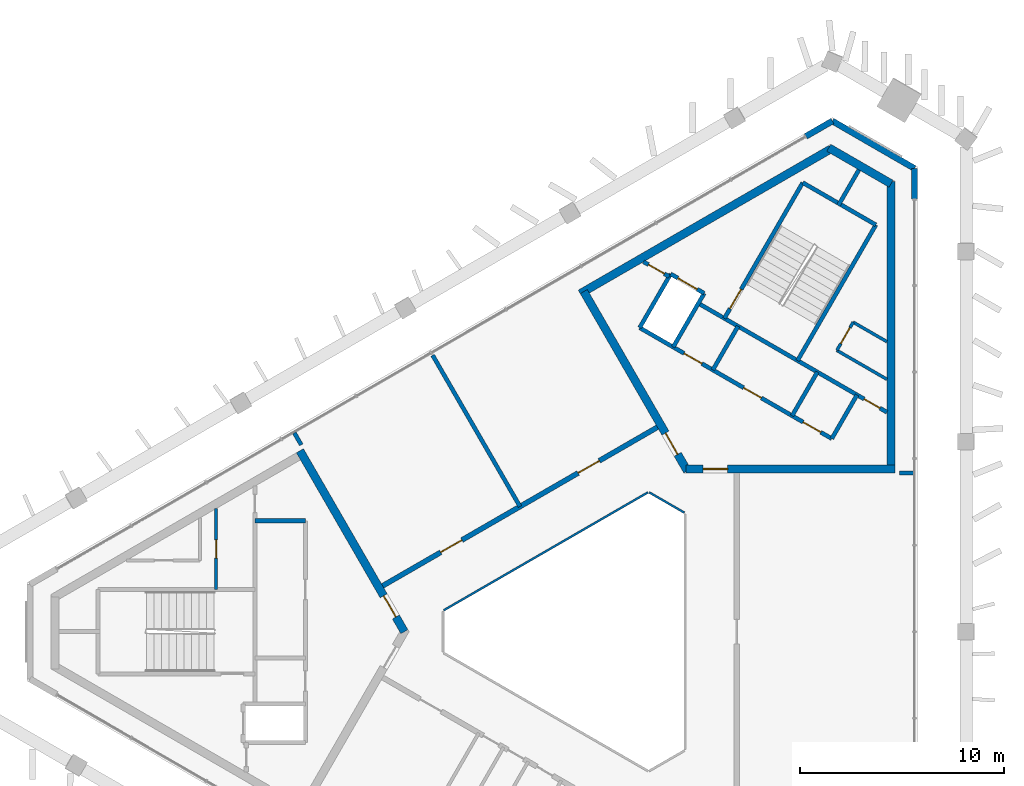
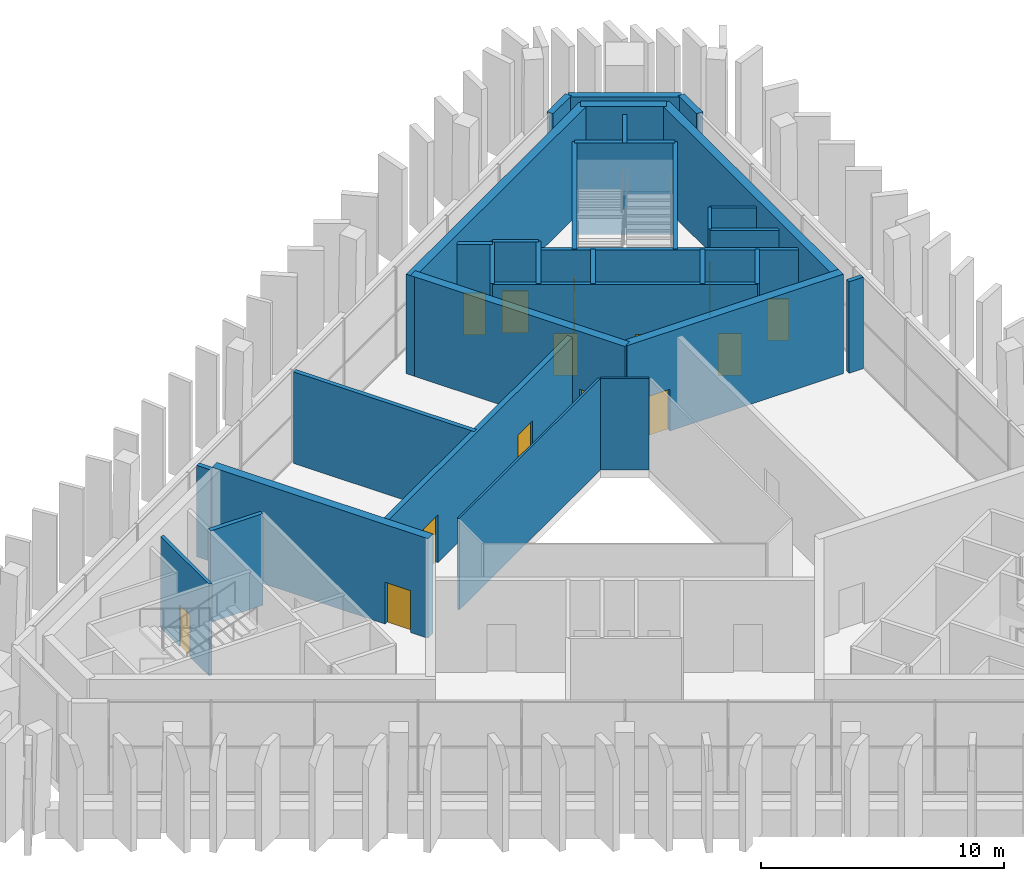
# One storey, part 10 of 13: 33 walls, 14 doors, 14 openings.
"""IFC4 building model written with IfcOpenShell, lengths in metres."""

from ifc_helpers import new_model, si_unit, direction, frame, frame_2d, origin, place, context, subcontext, project, spatial, rectangle, extrude, material, layer, layer_set, type_object, element, fill, save


model = new_model("IFC4")

# Units and contexts
model_context = context("Model", 3, precision=1e-05, world=origin(), true_north=direction((0.0, 1.0)))
body_context = subcontext(model_context, "Body", "Model", "MODEL_VIEW")
ifc_project = project(units=[si_unit("LENGTHUNIT", "METRE"), si_unit("AREAUNIT", "SQUARE_METRE"), si_unit("VOLUMEUNIT", "CUBIC_METRE"), si_unit("PLANEANGLEUNIT", "RADIAN"), si_unit("MASSUNIT", "GRAM", prefix="KILO")], contexts=[model_context])

# Site, building, storey
site_placement = place(None, origin())
site = spatial("IfcSite", under=ifc_project, at=site_placement, CompositionType="ELEMENT")
building_placement = place(site_placement, origin())
building = spatial("IfcBuilding", under=site, at=building_placement, Name="Jabali Bay Hotel Tower and Convention Centre", CompositionType="ELEMENT")
storey_placement = place(building_placement, frame((0.0, 0.0, 310.800048828125)))
storey = spatial("IfcBuildingStorey", under=building, at=storey_placement, Name="L76", CompositionType="ELEMENT", Elevation=310.800048828125)

# Walls
ifc_material_1 = material(Name="Fire-resistant glazing", Category="glass")
ifc_layer_1 = layer(ifc_material_1, 0.10009765625)
ifc_layer_set_1 = layer_set([ifc_layer_1], Name="Fire-resistant glazing")
wall_type_1 = type_object("IfcWallType", Name="Atrium glazed screen 100", PredefinedType="PARTITIONING", material=ifc_layer_set_1)
wall_1_placement = place(storey_placement, frame((79.530029296875, 85.84619140625, 0.0), z_axis=(0.0, 0.0, 1.0), x_axis=(-0.866041268327, 0.499972520799, 0.0)))
element("IfcWall", 1, at=wall_1_placement, inside=storey, type_object=wall_type_1, Name="Atrium screen 2 L76", PredefinedType="PARTITIONING", context=body_context, shape_type="SweptSolid", body=[
    extrude(rectangle(XDim=2.0, YDim=0.10009765625, at=frame_2d((1.0, 0.0))), origin(), (0.0, 0.0, 1.0), 4.599853515625),
])
wall_2_placement = place(storey_placement, frame((77.738037109375, 86.84619140625, 0.0), z_axis=(0.0, 0.0, 1.0), x_axis=(-0.866026658274, -0.499997827154, 0.0)))
element("IfcWall", 2, at=wall_2_placement, inside=storey, type_object=wall_type_1, Name="Atrium screen 3 L76", PredefinedType="PARTITIONING", context=body_context, shape_type="SweptSolid", body=[
    extrude(rectangle(XDim=11.58837890625, YDim=0.10009765625, at=frame_2d((5.794189453125, 0.0))), origin(), (0.0, 0.0, 1.0), 4.599853515625),
])
ifc_material_2 = material(Name="Concrete C40", Category="concrete")
ifc_layer_2 = layer(ifc_material_2, 0.199951171875)
ifc_layer_set_2 = layer_set([ifc_layer_2], Name="Concrete C40")
wall_type_2 = type_object("IfcWallType", Name="Core partition wall 200", PredefinedType="PARTITIONING", material=ifc_layer_set_2)
wall_3_placement = place(storey_placement, frame((87.090087890625, 100.9404296875, 0.0), z_axis=(0.0, 0.0, 1.0), x_axis=(0.499941815747, 0.866058993873, 0.0)))
element("IfcWall", 3, at=wall_3_placement, inside=storey, type_object=wall_type_2, Name="Core wall 1.4 L76", PredefinedType="PARTITIONING", context=body_context, shape_type="SweptSolid", body=[
    extrude(rectangle(XDim=2.023193359375, YDim=0.199951171875, at=frame_2d((1.01171875, 0.0))), origin(), (0.0, 0.0, 1.0), 4.599853515625),
])

# Wall, opening, door
wall_4_placement = place(storey_placement, frame((78.7802734375, 97.447509765625, 0.0), z_axis=(0.0, 0.0, 1.0), x_axis=(-0.866045896294, 0.499964504253, 0.0)))
wall_4 = element("IfcWall", 4, at=wall_4_placement, inside=storey, type_object=wall_type_2, Name="Core wall 1.11 L76", PredefinedType="PARTITIONING", context=body_context, shape_type="SweptSolid", body=[
    extrude(rectangle(XDim=1.455078125, YDim=0.199951171875, at=frame_2d((0.7275390625, 0.0))), origin(), (0.0, 0.0, 1.0), 4.599853515625),
])
opening_1_placement = place(wall_4_placement, frame((0.277587890625, 0.0, 0.0)))
opening_1 = element("IfcOpeningElement", 5, at=opening_1_placement, cuts=wall_4, Name="Opening D1698", PredefinedType="OPENING", context=body_context, shape_type="SweptSolid", body=[
    extrude(rectangle(XDim=0.89990234375, YDim=2.10009765625, at=frame_2d((0.449951171875, 1.050048828125))), frame((0.0, 0.1103515625, 0.0), z_axis=(0.0, -1.0, 0.0), x_axis=(1.0, 0.0, 0.0)), (0.0, 0.0, 1.0), 0.220947265625),
])
ifc_material_3 = material(Name="Fire-rated steel door", Category="steel")
door_type_1 = type_object("IfcDoorType", Name="Vestibule fire door 900 x 2100", OperationType="NOTDEFINED", PredefinedType="NOTDEFINED", material=ifc_material_3)
door_1_placement = place(opening_1_placement, origin())
door_1 = element("IfcDoor", 6, at=door_1_placement, inside=storey, type_object=door_type_1, Name="Vestibule fire door D1698", OperationType="SINGLE_SWING_LEFT", OverallHeight=2.10009765625, OverallWidth=0.89990234375, PredefinedType="NOTDEFINED", context=body_context, shape_type="SweptSolid", body=[
    extrude(rectangle(XDim=0.89990234375, YDim=2.10009765625, at=frame_2d((0.449951171875, 1.050048828125))), frame((0.0, 0.02490234375, 0.0), z_axis=(0.0, -1.0, 0.0), x_axis=(1.0, 0.0, 0.0)), (0.0, 0.0, 1.0), 0.050048828125),
])
fill(opening_1, door_1)

ifc_material_4 = material(Name="Fire-rated board partition")
ifc_layer_3 = layer(ifc_material_4, 0.14990234375)
ifc_layer_set_3 = layer_set([ifc_layer_3], Name="Fire-rated board partition")
wall_type_3 = type_object("IfcWallType", Name="Core room partition 150", PredefinedType="PARTITIONING", material=ifc_layer_set_3)
wall_5_placement = place(storey_placement, frame((56.52001953125, 86.050537109375, 0.0), z_axis=(0.0, 0.0, 1.0), x_axis=(0.0, -1.0, 0.0)))
wall_5 = element("IfcWall", 7, at=wall_5_placement, inside=storey, type_object=wall_type_3, Name="Core wall 0.12 L76", PredefinedType="PARTITIONING", context=body_context, shape_type="SweptSolid", body=[
    extrude(rectangle(XDim=3.9755859375, YDim=0.14990234375, at=frame_2d((1.98779296875, 0.0))), origin(), (0.0, 0.0, 1.0), 4.599853515625),
])
opening_2_placement = place(wall_5_placement, frame((1.537841796875, 0.0, 0.0)))
opening_2 = element("IfcOpeningElement", 8, at=opening_2_placement, cuts=wall_5, Name="Opening D1688", PredefinedType="OPENING", context=body_context, shape_type="SweptSolid", body=[
    extrude(rectangle(XDim=0.89990234375, YDim=2.10009765625, at=frame_2d((0.449951171875, 1.050048828125))), frame((0.0, 0.08544921875, 0.0), z_axis=(0.0, -1.0, 0.0), x_axis=(1.0, 0.0, 0.0)), (0.0, 0.0, 1.0), 0.1708984375),
])
door_type_2 = type_object("IfcDoorType", Name="Core room door 900 x 2100", OperationType="NOTDEFINED", PredefinedType="NOTDEFINED", material=ifc_material_3)
door_2_placement = place(opening_2_placement, origin())
door_2 = element("IfcDoor", 9, at=door_2_placement, inside=storey, type_object=door_type_2, Name="Core room door D1688", OperationType="SINGLE_SWING_RIGHT", OverallHeight=2.10009765625, OverallWidth=0.89990234375, PredefinedType="NOTDEFINED", context=body_context, shape_type="SweptSolid", body=[
    extrude(rectangle(XDim=0.89990234375, YDim=2.10009765625, at=frame_2d((0.449951171875, 1.050048828125))), frame((0.0, 0.02490234375, 0.0), z_axis=(0.0, -1.0, 0.0), x_axis=(1.0, 0.0, 0.0)), (0.0, 0.0, 1.0), 0.050048828125),
])
fill(opening_2, door_2)

wall_6_placement = place(storey_placement, frame((87.02099609375, 93.821044921875, 0.0), z_axis=(0.0, 0.0, 1.0), x_axis=(0.499995408039, 0.866028054938, 0.0)))
wall_6 = element("IfcWall", 10, at=wall_6_placement, inside=storey, type_object=wall_type_3, Name="Core wall 1.1 L76", PredefinedType="PARTITIONING", context=body_context, shape_type="SweptSolid", body=[
    extrude(rectangle(XDim=1.60009765625, YDim=0.14990234375, at=frame_2d((0.800048828125, 0.0))), origin(), (0.0, 0.0, 1.0), 4.599853515625),
])
opening_3_placement = place(wall_6_placement, frame((0.387451171875, 0.0, 0.0)))
opening_3 = element("IfcOpeningElement", 11, at=opening_3_placement, cuts=wall_6, Name="Opening D1701", PredefinedType="OPENING", context=body_context, shape_type="SweptSolid", body=[
    extrude(rectangle(XDim=0.89990234375, YDim=2.10009765625, at=frame_2d((0.449951171875, 1.050048828125))), frame((0.0, 0.08544921875, 0.0), z_axis=(0.0, -1.0, 0.0), x_axis=(1.0, 0.0, 0.0)), (0.0, 0.0, 1.0), 0.1708984375),
])
door_3_placement = place(opening_3_placement, origin())
door_3 = element("IfcDoor", 12, at=door_3_placement, inside=storey, type_object=door_type_2, Name="Core room door D1701", OperationType="SINGLE_SWING_LEFT", OverallHeight=2.10009765625, OverallWidth=0.89990234375, PredefinedType="NOTDEFINED", context=body_context, shape_type="SweptSolid", body=[
    extrude(rectangle(XDim=0.89990234375, YDim=2.10009765625, at=frame_2d((0.449951171875, 1.050048828125))), frame((0.0, 0.02490234375, 0.0), z_axis=(0.0, -1.0, 0.0), x_axis=(1.0, 0.0, 0.0)), (0.0, 0.0, 1.0), 0.050048828125),
])
fill(opening_3, door_3)

# Walls
wall_7_placement = place(storey_placement, frame((89.47998046875, 92.4013671875, 0.0), z_axis=(0.0, 0.0, 1.0), x_axis=(-0.866028081176, 0.499995362593, 0.0)))
element("IfcWall", 13, at=wall_7_placement, inside=storey, type_object=wall_type_3, Name="Core wall 1.13 L76", PredefinedType="PARTITIONING", context=body_context, shape_type="SweptSolid", body=[
    extrude(rectangle(XDim=2.83935546875, YDim=0.14990234375, at=frame_2d((1.419677734375, 0.0))), origin(), (0.0, 0.0, 1.0), 4.599853515625),
])
wall_8_placement = place(storey_placement, frame((89.47998046875, 94.2490234375, 0.0), z_axis=(0.0, 0.0, 1.0), x_axis=(-0.866030650962, 0.499990911512, 0.0)))
element("IfcWall", 14, at=wall_8_placement, inside=storey, type_object=wall_type_3, Name="Core wall 1.14 L76", PredefinedType="PARTITIONING", context=body_context, shape_type="SweptSolid", body=[
    extrude(rectangle(XDim=1.91552734375, YDim=0.14990234375, at=frame_2d((0.957763671875, 0.0))), origin(), (0.0, 0.0, 1.0), 4.599853515625),
])
ifc_layer_4 = layer(ifc_material_2, 0.199951171875)
ifc_layer_set_4 = layer_set([ifc_layer_4], Name="Concrete C40")
wall_type_4 = type_object("IfcWallType", Name="Core stair wall 200", PredefinedType="SOLIDWALL", material=ifc_layer_set_4)
wall_9_placement = place(storey_placement, frame((60.89990234375, 85.449951171875, 0.0), z_axis=(0.0, 0.0, 1.0), x_axis=(-1.0, 0.0, 0.0)))
element("IfcWall", 15, at=wall_9_placement, inside=storey, type_object=wall_type_4, Name="Core wall 0.0 L76", PredefinedType="SOLIDWALL", context=body_context, shape_type="SweptSolid", body=[
    extrude(rectangle(XDim=2.47998046875, YDim=0.199951171875, at=frame_2d((1.239990234375, 0.0))), origin(), (0.0, 0.0, 1.0), 4.599853515625),
])
for number, where, z_axis, x_axis, name in (
    (16, (86.769775390625, 89.48583984375, 0.0), (0.0, 0.0, 1.0), (0.499961042966, 0.86604789447, 0.0), "Core wall 1.0 L76"),
    (17, (84.8212890625, 90.61083984375, 0.0), (0.0, 0.0, 1.0), (0.499961042966, 0.86604789447, 0.0), "Core wall 1.2 L76"),
):
    element("IfcWall", number, at=place(storey_placement, frame(where, z_axis=z_axis, x_axis=x_axis)), inside=storey, type_object=wall_type_4, Name=name, PredefinedType="SOLIDWALL", context=body_context, shape_type="SweptSolid", body=[
        extrude(rectangle(XDim=2.480224609375, YDim=0.199951171875, at=frame_2d((1.240234375, 0.0))), origin(), (0.0, 0.0, 1.0), 4.599853515625),
    ])
wall_10_placement = place(storey_placement, frame((85.0869140625, 93.3212890625, 0.0), z_axis=(0.0, 0.0, 1.0), x_axis=(0.500019787375, 0.866013979237, 0.0)))
element("IfcWall", 18, at=wall_10_placement, inside=storey, type_object=wall_type_4, Name="Core wall 1.3 L76", PredefinedType="SOLIDWALL", context=body_context, shape_type="SweptSolid", body=[
    extrude(rectangle(XDim=7.699951171875, YDim=0.199951171875, at=frame_2d((3.85009765625, 0.0))), origin(), (0.0, 0.0, 1.0), 4.599853515625),
])
wall_11_placement = place(storey_placement, frame((80.924072265625, 92.86083984375, 0.0), z_axis=(0.0, 0.0, 1.0), x_axis=(0.499961042966, 0.86604789447, 0.0)))
element("IfcWall", 19, at=wall_11_placement, inside=storey, type_object=wall_type_4, Name="Core wall 1.5 L76", PredefinedType="SOLIDWALL", context=body_context, shape_type="SweptSolid", body=[
    extrude(rectangle(XDim=2.480224609375, YDim=0.199951171875, at=frame_2d((1.240234375, 0.0))), origin(), (0.0, 0.0, 1.0), 4.599853515625),
])

# Wall, opening, door
wall_12_placement = place(storey_placement, frame((81.492919921875, 95.396240234375, 0.0), z_axis=(0.0, 0.0, 1.0), x_axis=(0.500006057782, 0.866021906294, 0.0)))
wall_12 = element("IfcWall", 20, at=wall_12_placement, inside=storey, type_object=wall_type_4, Name="Core wall 1.6 L76", PredefinedType="SOLIDWALL", context=body_context, shape_type="SweptSolid", body=[
    extrude(rectangle(XDim=7.7001953125, YDim=0.199951171875, at=frame_2d((3.85009765625, 0.0))), origin(), (0.0, 0.0, 1.0), 4.599853515625),
])
opening_4_placement = place(wall_12_placement, frame((0.550048828125, 0.0, 0.0)))
opening_4 = element("IfcOpeningElement", 21, at=opening_4_placement, cuts=wall_12, Name="Opening D1700", PredefinedType="OPENING", context=body_context, shape_type="SweptSolid", body=[
    extrude(rectangle(XDim=1.10009765625, YDim=2.10009765625, at=frame_2d((0.550048828125, 1.050048828125))), frame((0.0, 0.1103515625, 0.0), z_axis=(0.0, -1.0, 0.0), x_axis=(1.0, 0.0, 0.0)), (0.0, 0.0, 1.0), 0.220947265625),
])
door_type_3 = type_object("IfcDoorType", Name="Stair fire door 1100 x 2100", OperationType="NOTDEFINED", PredefinedType="NOTDEFINED", material=ifc_material_3)
door_4_placement = place(opening_4_placement, origin())
door_4 = element("IfcDoor", 22, at=door_4_placement, inside=storey, type_object=door_type_3, Name="Stair fire door D1700", OperationType="SINGLE_SWING_RIGHT", OverallHeight=2.10009765625, OverallWidth=1.10009765625, PredefinedType="NOTDEFINED", context=body_context, shape_type="SweptSolid", body=[
    extrude(rectangle(XDim=1.10009765625, YDim=2.10009765625, at=frame_2d((0.550048828125, 1.050048828125))), frame((0.0, 0.02490234375, 0.0), z_axis=(0.0, -1.0, 0.0), x_axis=(1.0, 0.0, 0.0)), (0.0, 0.0, 1.0), 0.050048828125),
])
fill(opening_4, door_4)

# Walls
for number, where, z_axis, x_axis, name in (
    (23, (78.9755859375, 93.98583984375, 0.0), (0.0, 0.0, 1.0), (0.499944174705, 0.866057632134, 0.0), "Core wall 1.7 L76"),
    (24, (77.330078125, 94.93603515625, 0.0), (0.0, 0.0, 1.0), (0.500038867431, 0.8660029625, 0.0), "Core wall 1.8 L76"),
):
    element("IfcWall", number, at=place(storey_placement, frame(where, z_axis=z_axis, x_axis=x_axis)), inside=storey, type_object=wall_type_4, Name=name, PredefinedType="SOLIDWALL", context=body_context, shape_type="SweptSolid", body=[
        extrude(rectangle(XDim=3.050048828125, YDim=0.199951171875, at=frame_2d((1.52490234375, 0.0))), origin(), (0.0, 0.0, 1.0), 4.599853515625),
    ])

# Wall, openings, doors
wall_13_placement = place(storey_placement, frame((86.769775390625, 89.48583984375, 0.0), z_axis=(0.0, 0.0, 1.0), x_axis=(-0.86601811187, 0.500012629753, 0.0)))
wall_13 = element("IfcWall", 25, at=wall_13_placement, inside=storey, type_object=wall_type_4, Name="Core wall 1.9 L76", PredefinedType="SOLIDWALL", context=body_context, shape_type="SweptSolid", body=[
    extrude(rectangle(XDim=10.900146484375, YDim=0.199951171875, at=frame_2d((5.4501953125, 0.0))), origin(), (0.0, 0.0, 1.0), 4.599853515625),
])
opening_5_placement = place(wall_13_placement, frame((0.625, 0.0, 0.0)))
opening_5 = element("IfcOpeningElement", 26, at=opening_5_placement, cuts=wall_13, Name="Opening D1695", PredefinedType="OPENING", context=body_context, shape_type="SweptSolid", body=[
    extrude(rectangle(XDim=1.0, YDim=2.10009765625, at=frame_2d((0.5, 1.050048828125))), frame((0.0, 0.1103515625, 0.0), z_axis=(0.0, -1.0, 0.0), x_axis=(1.0, 0.0, 0.0)), (0.0, 0.0, 1.0), 0.220947265625),
])
opening_6_placement = place(wall_13_placement, frame((4.0, 0.0, 0.0)))
opening_6 = element("IfcOpeningElement", 27, at=opening_6_placement, cuts=wall_13, Name="Opening D1696", PredefinedType="OPENING", context=body_context, shape_type="SweptSolid", body=[
    extrude(rectangle(XDim=1.0, YDim=2.10009765625, at=frame_2d((0.5, 1.050048828125))), frame((0.0, 0.1103515625, 0.0), z_axis=(0.0, -1.0, 0.0), x_axis=(1.0, 0.0, 0.0)), (0.0, 0.0, 1.0), 0.220947265625),
])
opening_7_placement = place(wall_13_placement, frame((7.375, 0.0, 0.0)))
opening_7 = element("IfcOpeningElement", 28, at=opening_7_placement, cuts=wall_13, Name="Opening D1697", PredefinedType="OPENING", context=body_context, shape_type="SweptSolid", body=[
    extrude(rectangle(XDim=1.0, YDim=2.10009765625, at=frame_2d((0.5, 1.050048828125))), frame((0.0, 0.1103515625, 0.0), z_axis=(0.0, -1.0, 0.0), x_axis=(1.0, 0.0, 0.0)), (0.0, 0.0, 1.0), 0.220947265625),
])
door_type_4 = type_object("IfcDoorType", Name="Core room door 1000 x 2100", OperationType="NOTDEFINED", PredefinedType="NOTDEFINED", material=ifc_material_3)
door_5_placement = place(opening_5_placement, origin())
door_5 = element("IfcDoor", 29, at=door_5_placement, inside=storey, type_object=door_type_4, Name="Core room door D1695", OperationType="SINGLE_SWING_RIGHT", OverallHeight=2.10009765625, OverallWidth=1.0, PredefinedType="NOTDEFINED", context=body_context, shape_type="SweptSolid", body=[
    extrude(rectangle(XDim=1.0, YDim=2.10009765625, at=frame_2d((0.5, 1.050048828125))), frame((0.0, 0.02490234375, 0.0), z_axis=(0.0, -1.0, 0.0), x_axis=(1.0, 0.0, 0.0)), (0.0, 0.0, 1.0), 0.050048828125),
])
fill(opening_5, door_5)
door_6_placement = place(opening_6_placement, origin())
door_6 = element("IfcDoor", 30, at=door_6_placement, inside=storey, type_object=door_type_4, Name="Core room door D1696", OperationType="SINGLE_SWING_RIGHT", OverallHeight=2.10009765625, OverallWidth=1.0, PredefinedType="NOTDEFINED", context=body_context, shape_type="SweptSolid", body=[
    extrude(rectangle(XDim=1.0, YDim=2.10009765625, at=frame_2d((0.5, 1.050048828125))), frame((0.0, 0.02490234375, 0.0), z_axis=(0.0, -1.0, 0.0), x_axis=(1.0, 0.0, 0.0)), (0.0, 0.0, 1.0), 0.050048828125),
])
fill(opening_6, door_6)
door_7_placement = place(opening_7_placement, origin())
door_7 = element("IfcDoor", 31, at=door_7_placement, inside=storey, type_object=door_type_4, Name="Core room door D1697", OperationType="SINGLE_SWING_RIGHT", OverallHeight=2.10009765625, OverallWidth=1.0, PredefinedType="NOTDEFINED", context=body_context, shape_type="SweptSolid", body=[
    extrude(rectangle(XDim=1.0, YDim=2.10009765625, at=frame_2d((0.5, 1.050048828125))), frame((0.0, 0.02490234375, 0.0), z_axis=(0.0, -1.0, 0.0), x_axis=(1.0, 0.0, 0.0)), (0.0, 0.0, 1.0), 0.050048828125),
])
fill(opening_7, door_7)

# Wall, opening, door
wall_14_placement = place(storey_placement, frame((89.47998046875, 90.784912109375, 0.0), z_axis=(0.0, 0.0, 1.0), x_axis=(-0.866022544512, 0.500004952373, 0.0)))
wall_14 = element("IfcWall", 32, at=wall_14_placement, inside=storey, type_object=wall_type_4, Name="Core wall 1.10 L76", PredefinedType="SOLIDWALL", context=body_context, shape_type="SweptSolid", body=[
    extrude(rectangle(XDim=10.69775390625, YDim=0.199951171875, at=frame_2d((5.348876953125, 0.0))), origin(), (0.0, 0.0, 1.0), 4.599853515625),
])
opening_8_placement = place(wall_14_placement, frame((0.398681640625, 0.0, 0.0)))
opening_8 = element("IfcOpeningElement", 33, at=opening_8_placement, cuts=wall_14, Name="Opening D1699", PredefinedType="OPENING", context=body_context, shape_type="SweptSolid", body=[
    extrude(rectangle(XDim=0.89990234375, YDim=2.10009765625, at=frame_2d((0.449951171875, 1.050048828125))), frame((0.0, 0.1103515625, 0.0), z_axis=(0.0, -1.0, 0.0), x_axis=(1.0, 0.0, 0.0)), (0.0, 0.0, 1.0), 0.220947265625),
])
door_8_placement = place(opening_8_placement, origin())
door_8 = element("IfcDoor", 34, at=door_8_placement, inside=storey, type_object=door_type_1, Name="Vestibule fire door D1699", OperationType="SINGLE_SWING_LEFT", OverallHeight=2.10009765625, OverallWidth=0.89990234375, PredefinedType="NOTDEFINED", context=body_context, shape_type="SweptSolid", body=[
    extrude(rectangle(XDim=0.89990234375, YDim=2.10009765625, at=frame_2d((0.449951171875, 1.050048828125))), frame((0.0, 0.02490234375, 0.0), z_axis=(0.0, -1.0, 0.0), x_axis=(1.0, 0.0, 0.0)), (0.0, 0.0, 1.0), 0.050048828125),
])
fill(opening_8, door_8)

wall_15_placement = place(storey_placement, frame((80.50048828125, 96.62744140625, 0.0), z_axis=(0.0, 0.0, 1.0), x_axis=(-0.86601224135, 0.500022797313, 0.0)))
wall_15 = element("IfcWall", 35, at=wall_15_placement, inside=storey, type_object=wall_type_4, Name="Core wall 1.12 L76", PredefinedType="SOLIDWALL", context=body_context, shape_type="SweptSolid", body=[
    extrude(rectangle(XDim=1.89990234375, YDim=0.199951171875, at=frame_2d((0.949951171875, 0.0))), origin(), (0.0, 0.0, 1.0), 4.599853515625),
])
opening_9_placement = place(wall_15_placement, frame((0.39990234375, 0.0, 0.0)))
opening_9 = element("IfcOpeningElement", 36, at=opening_9_placement, cuts=wall_15, Name="Opening LD10-L76", PredefinedType="OPENING", context=body_context, shape_type="SweptSolid", body=[
    extrude(rectangle(XDim=1.10009765625, YDim=2.10009765625, at=frame_2d((0.550048828125, 1.050048828125))), frame((0.0, 0.1103515625, 0.0), z_axis=(0.0, -1.0, 0.0), x_axis=(1.0, 0.0, 0.0)), (0.0, 0.0, 1.0), 0.220947265625),
])
ifc_material_5 = material(Name="Stainless steel landing door", Category="steel")
door_type_5 = type_object("IfcDoorType", Name="Landing door 1100 x 2100", OperationType="NOTDEFINED", PredefinedType="NOTDEFINED", material=ifc_material_5)
door_9_placement = place(opening_9_placement, origin())
door_9 = element("IfcDoor", 37, at=door_9_placement, inside=storey, type_object=door_type_5, Name="Landing doors LD10-L76", OperationType="SLIDING_TO_RIGHT", OverallHeight=2.10009765625, OverallWidth=1.10009765625, PredefinedType="NOTDEFINED", context=body_context, shape_type="SweptSolid", body=[
    extrude(rectangle(XDim=1.10009765625, YDim=2.10009765625, at=frame_2d((0.550048828125, 1.050048828125))), frame((0.0, 0.02490234375, 0.0), z_axis=(0.0, -1.0, 0.0), x_axis=(1.0, 0.0, 0.0)), (0.0, 0.0, 1.0), 0.050048828125),
])
fill(opening_9, door_9)

# Wall
wall_16_placement = place(storey_placement, frame((88.93701171875, 99.989501953125, 0.0), z_axis=(0.0, 0.0, 1.0), x_axis=(-0.866004344652, 0.500036473714, 0.0)))
element("IfcWall", 38, at=wall_16_placement, inside=storey, type_object=wall_type_4, Name="Core wall 1.15 L76", PredefinedType="SOLIDWALL", context=body_context, shape_type="SweptSolid", body=[
    extrude(rectangle(XDim=4.150146484375, YDim=0.199951171875, at=frame_2d((2.0751953125, 0.0))), origin(), (0.0, 0.0, 1.0), 4.599853515625),
])

# Wall, opening, door
ifc_material_6 = material(Name="Concrete C60", Category="concrete")
ifc_layer_5 = layer(ifc_material_6, 0.39990234375)
ifc_layer_set_5 = layer_set([ifc_layer_5], Name="Concrete C60")
wall_type_5 = type_object("IfcWallType", Name="Core wall 400", PredefinedType="SHEAR", material=ifc_layer_set_5)
wall_17_placement = place(storey_placement, frame((65.76904296875, 80.0, 0.0), z_axis=(0.0, 0.0, 1.0), x_axis=(-0.50000177223, 0.866024380585, 0.0)))
wall_17 = element("IfcWall", 39, at=wall_17_placement, inside=storey, type_object=wall_type_5, Name="Core wall 1.1 L76", PredefinedType="SHEAR", context=body_context, shape_type="SweptSolid", body=[
    extrude(rectangle(XDim=10.2646484375, YDim=0.39990234375, at=frame_2d((5.13232421875, 0.0))), origin(), (0.0, 0.0, 1.0), 5.0),
])
opening_10_placement = place(wall_17_placement, frame((0.83447265625, 0.0, 0.0)))
opening_10 = element("IfcOpeningElement", 40, at=opening_10_placement, cuts=wall_17, Name="Opening D1684", PredefinedType="OPENING", context=body_context, shape_type="SweptSolid", body=[
    extrude(rectangle(XDim=1.199951171875, YDim=2.10009765625, at=frame_2d((0.60009765625, 1.050048828125))), frame((0.0, 0.21044921875, 0.0), z_axis=(0.0, -1.0, 0.0), x_axis=(1.0, 0.0, 0.0)), (0.0, 0.0, 1.0), 0.4208984375),
])
door_type_6 = type_object("IfcDoorType", Name="Corridor end fire door 1200 x 2100", OperationType="NOTDEFINED", PredefinedType="NOTDEFINED", material=ifc_material_3)
door_10_placement = place(opening_10_placement, origin())
door_10 = element("IfcDoor", 41, at=door_10_placement, inside=storey, type_object=door_type_6, Name="Corridor end fire door D1684", OperationType="SINGLE_SWING_RIGHT", OverallHeight=2.10009765625, OverallWidth=1.199951171875, PredefinedType="NOTDEFINED", context=body_context, shape_type="SweptSolid", body=[
    extrude(rectangle(XDim=1.199951171875, YDim=2.10009765625, at=frame_2d((0.60009765625, 1.050048828125))), frame((0.0, 0.02490234375, 0.0), z_axis=(0.0, -1.0, 0.0), x_axis=(1.0, 0.0, 0.0)), (0.0, 0.0, 1.0), 0.050048828125),
])
fill(opening_10, door_10)

wall_18_placement = place(storey_placement, frame((79.615478515625, 87.994140625, 0.0), z_axis=(0.0, 0.0, 1.0), x_axis=(1.0, 0.0, 0.0)))
wall_18 = element("IfcWall", 42, at=wall_18_placement, inside=storey, type_object=wall_type_5, Name="Core wall 2.1 L76", PredefinedType="SHEAR", context=body_context, shape_type="SweptSolid", body=[
    extrude(rectangle(XDim=10.264404296875, YDim=0.39990234375, at=frame_2d((5.13232421875, 0.0))), origin(), (0.0, 0.0, 1.0), 5.0),
])
opening_11_placement = place(wall_18_placement, frame((0.83447265625, 0.0, 0.0)))
opening_11 = element("IfcOpeningElement", 43, at=opening_11_placement, cuts=wall_18, Name="Opening D1693", PredefinedType="OPENING", context=body_context, shape_type="SweptSolid", body=[
    extrude(rectangle(XDim=1.199951171875, YDim=2.10009765625, at=frame_2d((0.60009765625, 1.050048828125))), frame((0.0, 0.21044921875, 0.0), z_axis=(0.0, -1.0, 0.0), x_axis=(1.0, 0.0, 0.0)), (0.0, 0.0, 1.0), 0.4208984375),
])
door_11_placement = place(opening_11_placement, origin())
door_11 = element("IfcDoor", 44, at=door_11_placement, inside=storey, type_object=door_type_6, Name="Corridor end fire door D1693", OperationType="SINGLE_SWING_RIGHT", OverallHeight=2.10009765625, OverallWidth=1.199951171875, PredefinedType="NOTDEFINED", context=body_context, shape_type="SweptSolid", body=[
    extrude(rectangle(XDim=1.199951171875, YDim=2.10009765625, at=frame_2d((0.60009765625, 1.050048828125))), frame((0.0, 0.02490234375, 0.0), z_axis=(0.0, -1.0, 0.0), x_axis=(1.0, 0.0, 0.0)), (0.0, 0.0, 1.0), 0.050048828125),
])
fill(opening_11, door_11)

# Walls
wall_19_placement = place(storey_placement, frame((89.679931640625, 87.994140625, 0.0), z_axis=(0.0, 0.0, 1.0), x_axis=(0.0, 1.0, 0.0)))
element("IfcWall", 45, at=wall_19_placement, inside=storey, type_object=wall_type_5, Name="Core wall 2.2 L76", PredefinedType="SHEAR", context=body_context, shape_type="SweptSolid", body=[
    extrude(rectangle(XDim=14.133544921875, YDim=0.39990234375, at=frame_2d((7.06689453125, 0.0))), origin(), (0.0, 0.0, 1.0), 5.0),
])
wall_20_placement = place(storey_placement, frame((89.679931640625, 102.01220703125, 0.0), z_axis=(0.0, 0.0, 1.0), x_axis=(-0.866025485263, 0.499999858875, 0.0)))
element("IfcWall", 46, at=wall_20_placement, inside=storey, type_object=wall_type_5, Name="Core wall 2.3 L76", PredefinedType="SHEAR", context=body_context, shape_type="SweptSolid", body=[
    extrude(rectangle(XDim=3.52978515625, YDim=0.39990234375, at=frame_2d((1.764892578125, 0.0))), origin(), (0.0, 0.0, 1.0), 5.0),
])
wall_21_placement = place(storey_placement, frame((86.72314453125, 103.71923828125, 0.0), z_axis=(0.0, 0.0, 1.0), x_axis=(-0.866030317223, -0.499991489579, 0.0)))
element("IfcWall", 47, at=wall_21_placement, inside=storey, type_object=wall_type_5, Name="Core wall 2.4 L76", PredefinedType="SHEAR", context=body_context, shape_type="SweptSolid", body=[
    extrude(rectangle(XDim=14.218017578125, YDim=0.39990234375, at=frame_2d((7.10888671875, 0.0))), origin(), (0.0, 0.0, 1.0), 5.0),
])

# Wall, opening, door
wall_22_placement = place(storey_placement, frame((74.583251953125, 96.71044921875, 0.0), z_axis=(0.0, 0.0, 1.0), x_axis=(0.499987488796, -0.866032627011, 0.0)))
wall_22 = element("IfcWall", 48, at=wall_22_placement, inside=storey, type_object=wall_type_5, Name="Core wall 2.5 L76", PredefinedType="SHEAR", context=body_context, shape_type="SweptSolid", body=[
    extrude(rectangle(XDim=10.179931640625, YDim=0.39990234375, at=frame_2d((5.08984375, 0.0))), origin(), (0.0, 0.0, 1.0), 5.0),
])
opening_12_placement = place(wall_22_placement, frame((8.030029296875, 0.0, 0.0)))
opening_12 = element("IfcOpeningElement", 49, at=opening_12_placement, cuts=wall_22, Name="Opening D1694", PredefinedType="OPENING", context=body_context, shape_type="SweptSolid", body=[
    extrude(rectangle(XDim=1.199951171875, YDim=2.10009765625, at=frame_2d((0.60009765625, 1.050048828125))), frame((0.0, 0.21044921875, 0.0), z_axis=(0.0, -1.0, 0.0), x_axis=(1.0, 0.0, 0.0)), (0.0, 0.0, 1.0), 0.4208984375),
])
door_12_placement = place(opening_12_placement, origin())
door_12 = element("IfcDoor", 50, at=door_12_placement, inside=storey, type_object=door_type_6, Name="Corridor end fire door D1694", OperationType="SINGLE_SWING_LEFT", OverallHeight=2.10009765625, OverallWidth=1.199951171875, PredefinedType="NOTDEFINED", context=body_context, shape_type="SweptSolid", body=[
    extrude(rectangle(XDim=1.199951171875, YDim=2.10009765625, at=frame_2d((0.60009765625, 1.050048828125))), frame((0.0, 0.02490234375, 0.0), z_axis=(0.0, -1.0, 0.0), x_axis=(1.0, 0.0, 0.0)), (0.0, 0.0, 1.0), 0.050048828125),
])
fill(opening_12, door_12)

# Wall, openings, doors
ifc_layer_6 = layer(ifc_material_6, 0.25)
ifc_layer_set_6 = layer_set([ifc_layer_6], Name="Concrete C60")
wall_type_6 = type_object("IfcWallType", Name="Corridor wall 250", PredefinedType="SHEAR", material=ifc_layer_set_6)
wall_23_placement = place(storey_placement, frame((78.199951171875, 90.0458984375, 0.0), z_axis=(0.0, 0.0, 1.0), x_axis=(-0.866026492143, -0.499998114903, 0.0)))
wall_23 = element("IfcWall", 51, at=wall_23_placement, inside=storey, type_object=wall_type_6, Name="Corridor wall 2 L76", PredefinedType="SHEAR", context=body_context, shape_type="SweptSolid", body=[
    extrude(rectangle(XDim=15.58837890625, YDim=0.25, at=frame_2d((7.794189453125, 0.0))), origin(), (0.0, 0.0, 1.0), 4.599853515625),
])
opening_13_placement = place(wall_23_placement, frame((3.297119140625, 0.0, 0.0)))
opening_13 = element("IfcOpeningElement", 52, at=opening_13_placement, cuts=wall_23, Name="Opening 7602", PredefinedType="OPENING", context=body_context, shape_type="SweptSolid", body=[
    extrude(rectangle(XDim=1.199951171875, YDim=2.39990234375, at=frame_2d((0.60009765625, 1.199951171875))), frame((0.0, 0.135498046875, 0.0), z_axis=(0.0, -1.0, 0.0), x_axis=(1.0, 0.0, 0.0)), (0.0, 0.0, 1.0), 0.27099609375),
])
opening_14_placement = place(wall_23_placement, frame((11.09130859375, 0.0, 0.0)))
opening_14 = element("IfcOpeningElement", 53, at=opening_14_placement, cuts=wall_23, Name="Opening 7603", PredefinedType="OPENING", context=body_context, shape_type="SweptSolid", body=[
    extrude(rectangle(XDim=1.199951171875, YDim=2.39990234375, at=frame_2d((0.60009765625, 1.199951171875))), frame((0.0, 0.135498046875, 0.0), z_axis=(0.0, -1.0, 0.0), x_axis=(1.0, 0.0, 0.0)), (0.0, 0.0, 1.0), 0.27099609375),
])
ifc_material_7 = material(Name="Timber", Category="wood")
door_type_7 = type_object("IfcDoorType", Name="Public room door 1200 x 2400", OperationType="NOTDEFINED", PredefinedType="NOTDEFINED", material=ifc_material_7)
door_13_placement = place(opening_13_placement, origin())
door_13 = element("IfcDoor", 54, at=door_13_placement, inside=storey, type_object=door_type_7, Name="Door 7602", OperationType="SINGLE_SWING_LEFT", OverallHeight=2.39990234375, OverallWidth=1.199951171875, PredefinedType="NOTDEFINED", context=body_context, shape_type="SweptSolid", body=[
    extrude(rectangle(XDim=1.199951171875, YDim=2.39990234375, at=frame_2d((0.60009765625, 1.199951171875))), frame((0.0, 0.02490234375, 0.0), z_axis=(0.0, -1.0, 0.0), x_axis=(1.0, 0.0, 0.0)), (0.0, 0.0, 1.0), 0.050048828125),
])
fill(opening_13, door_13)
door_14_placement = place(opening_14_placement, origin())
door_14 = element("IfcDoor", 55, at=door_14_placement, inside=storey, type_object=door_type_7, Name="Door 7603", OperationType="SINGLE_SWING_RIGHT", OverallHeight=2.39990234375, OverallWidth=1.199951171875, PredefinedType="NOTDEFINED", context=body_context, shape_type="SweptSolid", body=[
    extrude(rectangle(XDim=1.199951171875, YDim=2.39990234375, at=frame_2d((0.60009765625, 1.199951171875))), frame((0.0, 0.02490234375, 0.0), z_axis=(0.0, -1.0, 0.0), x_axis=(1.0, 0.0, 0.0)), (0.0, 0.0, 1.0), 0.050048828125),
])
fill(opening_14, door_14)

# Walls
ifc_layer_7 = layer(ifc_material_2, 0.300048828125)
ifc_layer_set_7 = layer_set([ifc_layer_7], Name="Concrete C40")
wall_type_7 = type_object("IfcWallType", Name="External wall 300", PredefinedType="SOLIDWALL", material=ifc_layer_set_7)
wall_24_placement = place(storey_placement, frame((86.79833984375, 105.091796875, 0.0), z_axis=(0.0, 0.0, 1.0), x_axis=(0.866017951575, -0.500012907384, 0.0)))
element("IfcWall", 56, at=wall_24_placement, inside=storey, type_object=wall_type_7, Name="External wall north-east chamfer L76", PredefinedType="SOLIDWALL", context=body_context, shape_type="SweptSolid", body=[
    extrude(rectangle(XDim=4.65673828125, YDim=0.300048828125, at=frame_2d((2.328369140625, 0.0))), origin(), (0.0, 0.0, 1.0), 4.599853515625),
])
for number, where, z_axis, x_axis, name in (
    (57, (90.8310546875, 102.763427734375, 0.0), (0.0, 0.0, 1.0), (0.0, -1.0, 0.0), "External wall east face L76"),
    (58, (85.499267578125, 104.341796875, 0.0), (0.0, 0.0, 1.0), (0.866031096941, 0.499990139034, 0.0), "External wall north-west face L76"),
):
    element("IfcWall", number, at=place(storey_placement, frame(where, z_axis=z_axis, x_axis=x_axis)), inside=storey, type_object=wall_type_7, Name=name, PredefinedType="SOLIDWALL", context=body_context, shape_type="SweptSolid", body=[
        extrude(rectangle(XDim=1.5, YDim=0.300048828125, at=frame_2d((0.75, 0.0))), origin(), (0.0, 0.0, 1.0), 4.599853515625),
    ])
ifc_material_8 = material(Name="Plasterboard on steel stud", Category="steel")
ifc_layer_8 = layer(ifc_material_8, 0.199951171875)
ifc_layer_set_8 = layer_set([ifc_layer_8], Name="Plasterboard on steel stud")
wall_type_8 = type_object("IfcWallType", Name="Partition 200 party", PredefinedType="PARTITIONING", material=ifc_layer_set_8)
wall_25_placement = place(storey_placement, frame((90.77685546875, 87.793212890625, 0.0), z_axis=(0.0, 0.0, 1.0), x_axis=(-1.0, 0.0, 0.0)))
element("IfcWall", 59, at=wall_25_placement, inside=storey, type_object=wall_type_8, Name="Partition P01 L76 001", PredefinedType="PARTITIONING", context=body_context, shape_type="SweptSolid", body=[
    extrude(rectangle(XDim=0.6767578125, YDim=0.199951171875, at=frame_2d((0.33837890625, 0.0))), origin(), (0.0, 0.0, 1.0), 4.599853515625),
])
wall_26_placement = place(storey_placement, frame((67.158935546875, 93.5810546875, 0.0), z_axis=(0.0, 0.0, 1.0), x_axis=(0.499994148791, -0.866028781955, 0.0)))
element("IfcWall", 60, at=wall_26_placement, inside=storey, type_object=wall_type_8, Name="Partition P01 L76 003", PredefinedType="PARTITIONING", context=body_context, shape_type="SweptSolid", body=[
    extrude(rectangle(XDim=8.58203125, YDim=0.199951171875, at=frame_2d((4.291015625, 0.0))), origin(), (0.0, 0.0, 1.0), 4.599853515625),
])
wall_27_placement = place(storey_placement, frame((60.3623046875, 89.7666015625, 0.0), z_axis=(0.0, 0.0, 1.0), x_axis=(0.500211503058, -0.865903257996, 0.0)))
element("IfcWall", 61, at=wall_27_placement, inside=storey, type_object=wall_type_8, Name="Partition P01 L76 004", PredefinedType="PARTITIONING", context=body_context, shape_type="SweptSolid", body=[
    extrude(rectangle(XDim=0.677001953125, YDim=0.199951171875, at=frame_2d((0.33837890625, 0.0))), origin(), (0.0, 0.0, 1.0), 4.599853515625),
])

save(model, "model.ifc")
